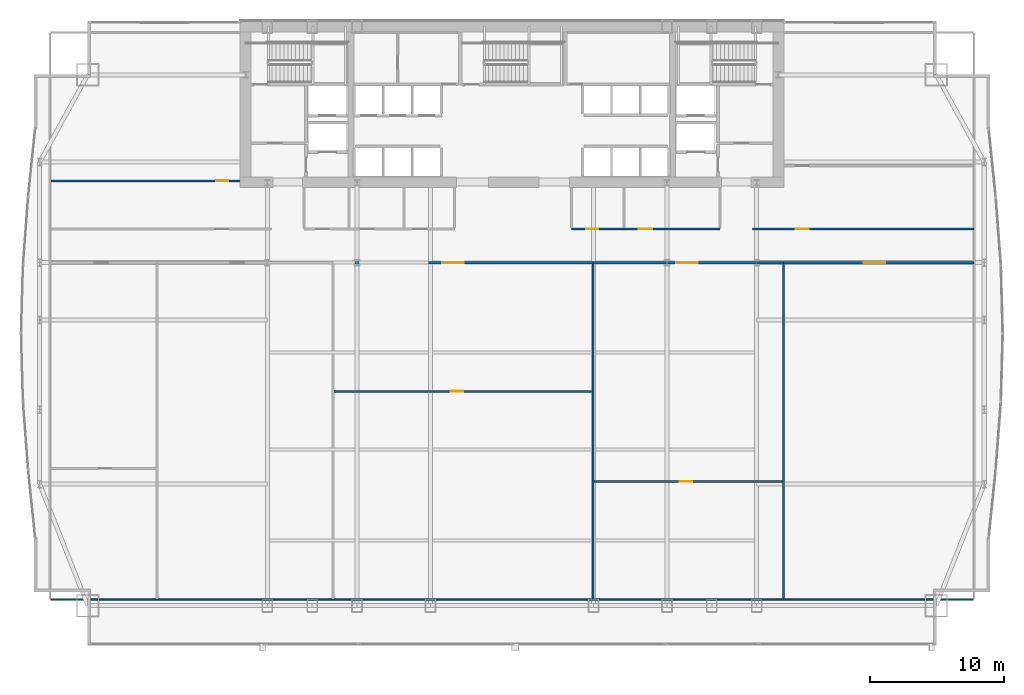
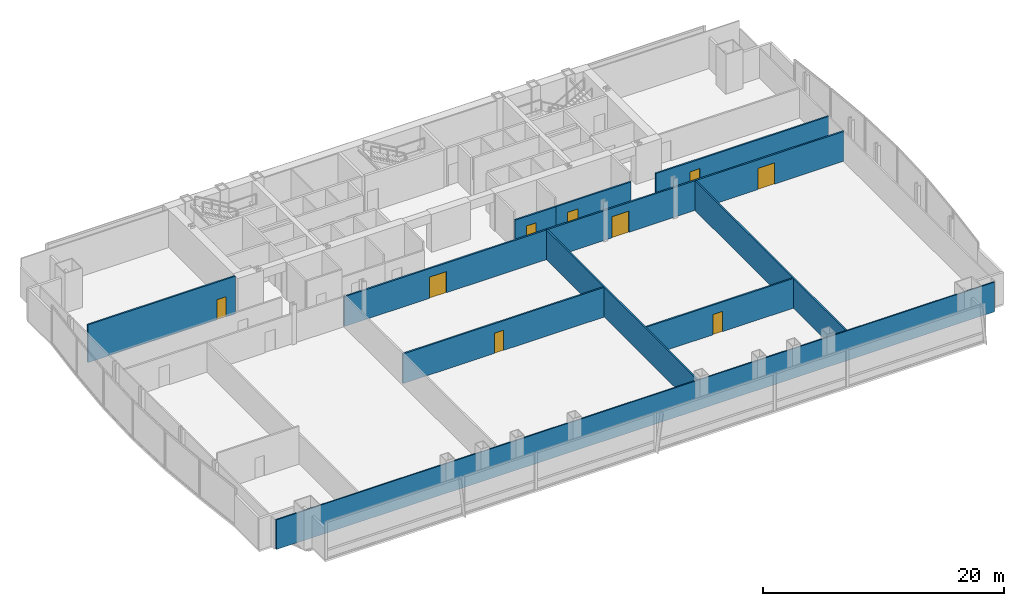
# One storey, part 27 of 32: 12 walls, 9 doors, 9 openings.
"""IFC4 building model written with IfcOpenShell, lengths in metres."""

from ifc_helpers import new_model, si_unit, direction, frame, frame_2d, origin, place, context, subcontext, project, spatial, rectangle, extrude, material, layer, layer_set, type_object, element, fill, save


model = new_model("IFC4")

# Units and contexts
model_context = context("Model", 3, precision=1e-05, world=origin(), true_north=direction((0.0, 1.0)))
body_context = subcontext(model_context, "Body", "Model", "MODEL_VIEW")
ifc_project = project(units=[si_unit("LENGTHUNIT", "METRE"), si_unit("AREAUNIT", "SQUARE_METRE"), si_unit("VOLUMEUNIT", "CUBIC_METRE"), si_unit("PLANEANGLEUNIT", "RADIAN"), si_unit("MASSUNIT", "GRAM", prefix="KILO")], contexts=[model_context])

# Site, building, storey
site_placement = place(None, origin())
site = spatial("IfcSite", under=ifc_project, at=site_placement, CompositionType="ELEMENT")
building_placement = place(site_placement, origin())
building = spatial("IfcBuilding", under=site, at=building_placement, Name="Khoronbel Lancet Exchange", CompositionType="ELEMENT")
storey_placement = place(building_placement, frame((0.0, 0.0, 29.800048828125)))
storey = spatial("IfcBuildingStorey", under=building, at=storey_placement, Name="L06", CompositionType="ELEMENT", Elevation=29.800048828125)

# Wall, opening, door
ifc_material_1 = material(Name="Acoustic Metal-Stud & Mineral-Wool Gypsum Partition 120 mm", Category="gypsum")
ifc_layer_1 = layer(ifc_material_1, 0.1201171875, Name="Acoustic Metal-Stud & Mineral-Wool Gypsum Partition 120 mm")
ifc_layer_set_1 = layer_set([ifc_layer_1], Name="Acoustic Metal-Stud & Mineral-Wool Gypsum Partition 120 mm")
wall_type_1 = type_object("IfcWallType", Name="WL-PRT120", PredefinedType="PARTITIONING", material=ifc_layer_set_1)
wall_1_placement = place(storey_placement, frame((2.094970703125, 41.800048828125, 0.0), z_axis=(0.0, 0.0, 1.0), x_axis=(1.0, 0.0, 0.0)))
wall_1 = element("IfcWall", 1, at=wall_1_placement, inside=storey, type_object=wall_type_1, Name="Level L06 interior partition PW-NW-H", PredefinedType="PARTITIONING", context=body_context, shape_type="SweptSolid", body=[
    extrude(rectangle(XDim=14.10498046875, YDim=0.14990234375, at=frame_2d((7.052490234375, 0.0))), origin(), (0.0, 0.0, 1.0), 3.820068359375),
])
opening_1_placement = place(wall_1_placement, frame((12.320068359375, 0.0, 0.0)))
opening_1 = element("IfcOpeningElement", 2, at=opening_1_placement, cuts=wall_1, Name="Opening D5", PredefinedType="OPENING", context=body_context, shape_type="SweptSolid", body=[
    extrude(rectangle(XDim=0.89990234375, YDim=2.050048828125, at=frame_2d((0.449951171875, 1.02490234375))), frame((0.0, 0.0849609375, 0.0), z_axis=(0.0, -1.0, 0.0), x_axis=(1.0, 0.0, 0.0)), (0.0, 0.0, 1.0), 0.169921875),
])
ifc_material_2 = material(Name="Acoustic Timber Pantry & Support Door", Category="wood")
door_type_1 = type_object("IfcDoorType", Name="DR-D5", OperationType="NOTDEFINED", PredefinedType="DOOR", material=ifc_material_2)
door_1_placement = place(opening_1_placement, origin())
door_1 = element("IfcDoor", 3, at=door_1_placement, inside=storey, type_object=door_type_1, Name="NW north room door L06-1", OperationType="SINGLE_SWING_LEFT", OverallHeight=2.050048828125, OverallWidth=0.89990234375, PredefinedType="DOOR", context=body_context, shape_type="SweptSolid", body=[
    extrude(rectangle(XDim=0.89990234375, YDim=2.050048828125, at=frame_2d((0.449951171875, 1.02490234375))), frame((0.0, 0.02490234375, 0.0), z_axis=(0.0, -1.0, 0.0), x_axis=(1.0, 0.0, 0.0)), (0.0, 0.0, 1.0), 0.050048828125),
])
fill(opening_1, door_1)

wall_2_placement = place(storey_placement, frame((23.182861328125, 26.119140625, 0.0), z_axis=(0.0, 0.0, 1.0), x_axis=(1.0, 0.0, 0.0)))
wall_2 = element("IfcWall", 4, at=wall_2_placement, inside=storey, type_object=wall_type_1, Name="Level L06 interior partition PW-Z1S-H3", PredefinedType="PARTITIONING", context=body_context, shape_type="SweptSolid", body=[
    extrude(rectangle(XDim=19.223876953125, YDim=0.14990234375, at=frame_2d((9.61181640625, 0.0))), origin(), (0.0, 0.0, 1.0), 3.010009765625),
])
opening_2_placement = place(wall_2_placement, frame((8.72265625, 0.0, 0.0)))
opening_2 = element("IfcOpeningElement", 5, at=opening_2_placement, cuts=wall_2, Name="Opening D5", PredefinedType="OPENING", context=body_context, shape_type="SweptSolid", body=[
    extrude(rectangle(XDim=0.89990234375, YDim=2.050048828125, at=frame_2d((0.449951171875, 1.02490234375))), frame((0.0, 0.0849609375, 0.0), z_axis=(0.0, -1.0, 0.0), x_axis=(1.0, 0.0, 0.0)), (0.0, 0.0, 1.0), 0.169921875),
])
door_2_placement = place(opening_2_placement, origin())
door_2 = element("IfcDoor", 6, at=door_2_placement, inside=storey, type_object=door_type_1, Name="Z1S inner door 3 L06-1", OperationType="SINGLE_SWING_RIGHT", OverallHeight=2.050048828125, OverallWidth=0.89990234375, PredefinedType="DOOR", context=body_context, shape_type="SweptSolid", body=[
    extrude(rectangle(XDim=0.89990234375, YDim=2.050048828125, at=frame_2d((0.449951171875, 1.02490234375))), frame((0.0, 0.02490234375, 0.0), z_axis=(0.0, -1.0, 0.0), x_axis=(1.0, 0.0, 0.0)), (0.0, 0.0, 1.0), 0.050048828125),
])
fill(opening_2, door_2)

wall_3_placement = place(storey_placement, frame((42.566650390625, 19.39453125, 0.0), z_axis=(0.0, 0.0, 1.0), x_axis=(1.0, 0.0, 0.0)))
wall_3 = element("IfcWall", 7, at=wall_3_placement, inside=storey, type_object=wall_type_1, Name="Level L06 interior partition PW-Z1S-H4", PredefinedType="PARTITIONING", context=body_context, shape_type="SweptSolid", body=[
    extrude(rectangle(XDim=14.045654296875, YDim=0.14990234375, at=frame_2d((7.02294921875, 0.0))), origin(), (0.0, 0.0, 1.0), 3.010009765625),
])
opening_3_placement = place(wall_3_placement, frame((6.392578125, 0.0, 0.0)))
opening_3 = element("IfcOpeningElement", 8, at=opening_3_placement, cuts=wall_3, Name="Opening D5", PredefinedType="OPENING", context=body_context, shape_type="SweptSolid", body=[
    extrude(rectangle(XDim=0.89990234375, YDim=2.050048828125, at=frame_2d((0.449951171875, 1.02490234375))), frame((0.0, 0.0849609375, 0.0), z_axis=(0.0, -1.0, 0.0), x_axis=(1.0, 0.0, 0.0)), (0.0, 0.0, 1.0), 0.169921875),
])
door_3_placement = place(opening_3_placement, origin())
door_3 = element("IfcDoor", 9, at=door_3_placement, inside=storey, type_object=door_type_1, Name="Z1S inner door 4 L06-1", OperationType="SINGLE_SWING_LEFT", OverallHeight=2.050048828125, OverallWidth=0.89990234375, PredefinedType="DOOR", context=body_context, shape_type="SweptSolid", body=[
    extrude(rectangle(XDim=0.89990234375, YDim=2.050048828125, at=frame_2d((0.449951171875, 1.02490234375))), frame((0.0, 0.02490234375, 0.0), z_axis=(0.0, -1.0, 0.0), x_axis=(1.0, 0.0, 0.0)), (0.0, 0.0, 1.0), 0.050048828125),
])
fill(opening_3, door_3)

# Wall
wall_4_placement = place(storey_placement, frame((2.094970703125, 10.60009765625, 0.0), z_axis=(0.0, 0.0, 1.0), x_axis=(1.0, 0.0, 0.0)))
element("IfcWall", 10, at=wall_4_placement, inside=storey, type_object=wall_type_1, Name="Level L06 interior partition PW-LIN-S", PredefinedType="PARTITIONING", context=body_context, shape_type="SweptSolid", body=[
    extrude(rectangle(XDim=68.7099609375, YDim=0.1201171875, at=frame_2d((34.35498046875, 0.0))), origin(), (0.0, 0.0, 1.0), 3.010009765625),
])

# Wall, opening, door
ifc_material_3 = material(Name="Fire-Rated Twin-Stud Acoustic Gypsum Partition 150 mm", Category="gypsum")
ifc_layer_2 = layer(ifc_material_3, 0.14990234375, Name="Fire-Rated Twin-Stud Acoustic Gypsum Partition 150 mm")
ifc_layer_set_2 = layer_set([ifc_layer_2], Name="Fire-Rated Twin-Stud Acoustic Gypsum Partition 150 mm")
wall_type_2 = type_object("IfcWallType", Name="WL-PRT150C", PredefinedType="PARTITIONING", material=ifc_layer_set_2)
wall_5_placement = place(storey_placement, frame((40.8798828125, 38.199951171875, 0.0), z_axis=(0.0, 0.0, 1.0), x_axis=(1.0, 0.0, 0.0)))
wall_5 = element("IfcWall", 11, at=wall_5_placement, inside=storey, type_object=wall_type_2, Name="Level L06 interior partition PW-NP-S1", PredefinedType="PARTITIONING", context=body_context, shape_type="SweptSolid", body=[
    extrude(rectangle(XDim=3.920166015625, YDim=0.14990234375, at=frame_2d((1.9599609375, 0.0))), origin(), (0.0, 0.0, 1.0), 3.010009765625),
])
opening_4_placement = place(wall_5_placement, frame((1.10009765625, 0.0, 0.0)))
opening_4 = element("IfcOpeningElement", 12, at=opening_4_placement, cuts=wall_5, Name="Opening D5", PredefinedType="OPENING", context=body_context, shape_type="SweptSolid", body=[
    extrude(rectangle(XDim=0.89990234375, YDim=2.050048828125, at=frame_2d((0.449951171875, 1.02490234375))), frame((0.0, 0.0849609375, 0.0), z_axis=(0.0, -1.0, 0.0), x_axis=(1.0, 0.0, 0.0)), (0.0, 0.0, 1.0), 0.169921875),
])
door_4_placement = place(opening_4_placement, origin())
door_4 = element("IfcDoor", 13, at=door_4_placement, inside=storey, type_object=door_type_1, Name="Floor refreshment pantry door L06-1", OperationType="SINGLE_SWING_LEFT", OverallHeight=2.050048828125, OverallWidth=0.89990234375, PredefinedType="DOOR", context=body_context, shape_type="SweptSolid", body=[
    extrude(rectangle(XDim=0.89990234375, YDim=2.050048828125, at=frame_2d((0.449951171875, 1.02490234375))), frame((0.0, 0.02490234375, 0.0), z_axis=(0.0, -1.0, 0.0), x_axis=(1.0, 0.0, 0.0)), (0.0, 0.0, 1.0), 0.050048828125),
])
fill(opening_4, door_4)

wall_6_placement = place(storey_placement, frame((44.800048828125, 38.199951171875, 0.0), z_axis=(0.0, 0.0, 1.0), x_axis=(1.0, 0.0, 0.0)))
wall_6 = element("IfcWall", 14, at=wall_6_placement, inside=storey, type_object=wall_type_2, Name="Level L06 interior partition PW-NP-S2", PredefinedType="PARTITIONING", context=body_context, shape_type="SweptSolid", body=[
    extrude(rectangle(XDim=7.14990234375, YDim=0.14990234375, at=frame_2d((3.574951171875, 0.0))), origin(), (0.0, 0.0, 1.0), 3.010009765625),
])
opening_5_placement = place(wall_6_placement, frame((1.10009765625, 0.0, 0.0)))
opening_5 = element("IfcOpeningElement", 15, at=opening_5_placement, cuts=wall_6, Name="Opening D2", PredefinedType="OPENING", context=body_context, shape_type="SweptSolid", body=[
    extrude(rectangle(XDim=1.0, YDim=2.050048828125, at=frame_2d((0.5, 1.02490234375))), frame((0.0, 0.0849609375, 0.0), z_axis=(0.0, -1.0, 0.0), x_axis=(1.0, 0.0, 0.0)), (0.0, 0.0, 1.0), 0.169921875),
])
ifc_material_4 = material(Name="Acoustic Veneered Timber & Bronze Frame Door", Category="wood")
door_type_2 = type_object("IfcDoorType", Name="DR-D2", OperationType="NOTDEFINED", PredefinedType="DOOR", material=ifc_material_4)
door_5_placement = place(opening_5_placement, origin())
door_5 = element("IfcDoor", 16, at=door_5_placement, inside=storey, type_object=door_type_2, Name="Floor store door L06-1", OperationType="SINGLE_SWING_RIGHT", OverallHeight=2.050048828125, OverallWidth=1.0, PredefinedType="DOOR", context=body_context, shape_type="SweptSolid", body=[
    extrude(rectangle(XDim=1.0, YDim=2.050048828125, at=frame_2d((0.5, 1.02490234375))), frame((0.0, 0.02490234375, 0.0), z_axis=(0.0, -1.0, 0.0), x_axis=(1.0, 0.0, 0.0)), (0.0, 0.0, 1.0), 0.050048828125),
])
fill(opening_5, door_5)

wall_7_placement = place(storey_placement, frame((54.35009765625, 38.199951171875, 0.0), z_axis=(0.0, 0.0, 1.0), x_axis=(1.0, 0.0, 0.0)))
wall_7 = element("IfcWall", 17, at=wall_7_placement, inside=storey, type_object=wall_type_2, Name="Level L06 interior partition PW-NE-S", PredefinedType="PARTITIONING", context=body_context, shape_type="SweptSolid", body=[
    extrude(rectangle(XDim=16.52001953125, YDim=0.14990234375, at=frame_2d((8.260009765625, 0.0))), origin(), (0.0, 0.0, 1.0), 3.010009765625),
])
opening_6_placement = place(wall_7_placement, frame((3.25, 0.0, 0.0)))
opening_6 = element("IfcOpeningElement", 18, at=opening_6_placement, cuts=wall_7, Name="Opening D1", PredefinedType="OPENING", context=body_context, shape_type="SweptSolid", body=[
    extrude(rectangle(XDim=0.949951171875, YDim=2.050048828125, at=frame_2d((0.47509765625, 1.02490234375))), frame((0.0, 0.0849609375, 0.0), z_axis=(0.0, -1.0, 0.0), x_axis=(1.0, 0.0, 0.0)), (0.0, 0.0, 1.0), 0.169921875),
])
door_type_3 = type_object("IfcDoorType", Name="DR-D1", OperationType="NOTDEFINED", PredefinedType="DOOR", material=ifc_material_4)
door_6_placement = place(opening_6_placement, origin())
door_6 = element("IfcDoor", 19, at=door_6_placement, inside=storey, type_object=door_type_3, Name="NE corner room door L06-1", OperationType="SINGLE_SWING_RIGHT", OverallHeight=2.050048828125, OverallWidth=0.949951171875, PredefinedType="DOOR", context=body_context, shape_type="SweptSolid", body=[
    extrude(rectangle(XDim=0.949951171875, YDim=2.050048828125, at=frame_2d((0.47509765625, 1.02490234375))), frame((0.0, 0.02490234375, 0.0), z_axis=(0.0, -1.0, 0.0), x_axis=(1.0, 0.0, 0.0)), (0.0, 0.0, 1.0), 0.050048828125),
])
fill(opening_6, door_6)

# Walls
for number, where, z_axis, x_axis, name in (
    (20, (42.48681640625, 10.6650390625, 0.0), (0.0, 0.0, 1.0), (0.0, 1.0, 0.0), "Level L06 interior partition PW-Z1S-V3"),
    (21, (56.692138671875, 10.6650390625, 0.0), (0.0, 0.0, 1.0), (0.0, 1.0, 0.0), "Level L06 interior partition PW-Z1S-V4"),
):
    element("IfcWall", number, at=place(storey_placement, frame(where, z_axis=z_axis, x_axis=x_axis)), inside=storey, type_object=wall_type_2, Name=name, PredefinedType="PARTITIONING", context=body_context, shape_type="SweptSolid", body=[
        extrude(rectangle(XDim=24.949951171875, YDim=0.14990234375, at=frame_2d((12.47509765625, 0.0))), origin(), (0.0, 0.0, 1.0), 3.010009765625),
    ])

# Wall, opening, door
ifc_material_5 = material(Name="Fire-Rated Twin-Stud Acoustic Gypsum Partition 160 mm", Category="gypsum")
ifc_layer_3 = layer(ifc_material_5, 0.159912109375, Name="Fire-Rated Twin-Stud Acoustic Gypsum Partition 160 mm")
ifc_layer_set_3 = layer_set([ifc_layer_3], Name="Fire-Rated Twin-Stud Acoustic Gypsum Partition 160 mm")
wall_type_3 = type_object("IfcWallType", Name="WL-PRT160C", PredefinedType="PARTITIONING", material=ifc_layer_set_3)
wall_8_placement = place(storey_placement, frame((23.102783203125, 35.699951171875, 0.0), z_axis=(0.0, 0.0, 1.0), x_axis=(1.0, 0.0, 0.0)))
wall_8 = element("IfcWall", 22, at=wall_8_placement, inside=storey, type_object=wall_type_3, Name="Level L06 interior partition PW-Z1S-COR3", PredefinedType="PARTITIONING", context=body_context, shape_type="SweptSolid", body=[
    extrude(rectangle(XDim=19.384033203125, YDim=0.159912109375, at=frame_2d((9.69189453125, 0.0))), origin(), (0.0, 0.0, 1.0), 3.010009765625),
])
opening_7_placement = place(wall_8_placement, frame((8.14111328125, 0.0, 0.0)))
opening_7 = element("IfcOpeningElement", 23, at=opening_7_placement, cuts=wall_8, Name="Opening D3", PredefinedType="OPENING", context=body_context, shape_type="SweptSolid", body=[
    extrude(rectangle(XDim=1.60009765625, YDim=2.14990234375, at=frame_2d((0.800048828125, 1.074951171875))), frame((0.0, 0.08984375, 0.0), z_axis=(0.0, -1.0, 0.0), x_axis=(1.0, 0.0, 0.0)), (0.0, 0.0, 1.0), 0.179931640625),
])
ifc_material_6 = material(Name="Glazed Bronze-Framed Double Suite Door", Category="aluminium")
door_type_4 = type_object("IfcDoorType", Name="DR-D3", OperationType="NOTDEFINED", PredefinedType="DOOR", material=ifc_material_6)
door_7_placement = place(opening_7_placement, origin())
door_7 = element("IfcDoor", 24, at=door_7_placement, inside=storey, type_object=door_type_4, Name="Z1S bay 3 door L06-1", OperationType="DOUBLE_DOOR_SINGLE_SWING", OverallHeight=2.14990234375, OverallWidth=1.60009765625, PredefinedType="DOOR", context=body_context, shape_type="SweptSolid", body=[
    extrude(rectangle(XDim=1.60009765625, YDim=2.14990234375, at=frame_2d((0.800048828125, 1.074951171875))), frame((0.0, 0.02490234375, 0.0), z_axis=(0.0, -1.0, 0.0), x_axis=(1.0, 0.0, 0.0)), (0.0, 0.0, 1.0), 0.050048828125),
])
fill(opening_7, door_7)

wall_9_placement = place(storey_placement, frame((42.48681640625, 35.699951171875, 0.0), z_axis=(0.0, 0.0, 1.0), x_axis=(1.0, 0.0, 0.0)))
wall_9 = element("IfcWall", 25, at=wall_9_placement, inside=storey, type_object=wall_type_3, Name="Level L06 interior partition PW-Z1S-COR4", PredefinedType="PARTITIONING", context=body_context, shape_type="SweptSolid", body=[
    extrude(rectangle(XDim=14.205322265625, YDim=0.159912109375, at=frame_2d((7.1025390625, 0.0))), origin(), (0.0, 0.0, 1.0), 3.010009765625),
])
opening_8_placement = place(wall_9_placement, frame((6.21630859375, 0.0, 0.0)))
opening_8 = element("IfcOpeningElement", 26, at=opening_8_placement, cuts=wall_9, Name="Opening D3", PredefinedType="OPENING", context=body_context, shape_type="SweptSolid", body=[
    extrude(rectangle(XDim=1.60009765625, YDim=2.14990234375, at=frame_2d((0.800048828125, 1.074951171875))), frame((0.0, 0.08984375, 0.0), z_axis=(0.0, -1.0, 0.0), x_axis=(1.0, 0.0, 0.0)), (0.0, 0.0, 1.0), 0.179931640625),
])
door_8_placement = place(opening_8_placement, origin())
door_8 = element("IfcDoor", 27, at=door_8_placement, inside=storey, type_object=door_type_4, Name="Z1S bay 4 door L06-1", OperationType="DOUBLE_DOOR_SINGLE_SWING", OverallHeight=2.14990234375, OverallWidth=1.60009765625, PredefinedType="DOOR", context=body_context, shape_type="SweptSolid", body=[
    extrude(rectangle(XDim=1.60009765625, YDim=2.14990234375, at=frame_2d((0.800048828125, 1.074951171875))), frame((0.0, 0.02490234375, 0.0), z_axis=(0.0, -1.0, 0.0), x_axis=(1.0, 0.0, 0.0)), (0.0, 0.0, 1.0), 0.050048828125),
])
fill(opening_8, door_8)

wall_10_placement = place(storey_placement, frame((56.692138671875, 35.699951171875, 0.0), z_axis=(0.0, 0.0, 1.0), x_axis=(1.0, 0.0, 0.0)))
wall_10 = element("IfcWall", 28, at=wall_10_placement, inside=storey, type_object=wall_type_3, Name="Level L06 interior partition PW-Z1S-COR5", PredefinedType="PARTITIONING", context=body_context, shape_type="SweptSolid", body=[
    extrude(rectangle(XDim=14.177978515625, YDim=0.159912109375, at=frame_2d((7.0888671875, 0.0))), origin(), (0.0, 0.0, 1.0), 3.010009765625),
])
opening_9_placement = place(wall_10_placement, frame((5.95458984375, 0.0, 0.0)))
opening_9 = element("IfcOpeningElement", 29, at=opening_9_placement, cuts=wall_10, Name="Opening D3", PredefinedType="OPENING", context=body_context, shape_type="SweptSolid", body=[
    extrude(rectangle(XDim=1.60009765625, YDim=2.14990234375, at=frame_2d((0.800048828125, 1.074951171875))), frame((0.0, 0.08984375, 0.0), z_axis=(0.0, -1.0, 0.0), x_axis=(1.0, 0.0, 0.0)), (0.0, 0.0, 1.0), 0.179931640625),
])
door_9_placement = place(opening_9_placement, origin())
door_9 = element("IfcDoor", 30, at=door_9_placement, inside=storey, type_object=door_type_4, Name="Z1S bay 5 door L06-1", OperationType="DOUBLE_DOOR_SINGLE_SWING", OverallHeight=2.14990234375, OverallWidth=1.60009765625, PredefinedType="DOOR", context=body_context, shape_type="SweptSolid", body=[
    extrude(rectangle(XDim=1.60009765625, YDim=2.14990234375, at=frame_2d((0.800048828125, 1.074951171875))), frame((0.0, 0.02490234375, 0.0), z_axis=(0.0, -1.0, 0.0), x_axis=(1.0, 0.0, 0.0)), (0.0, 0.0, 1.0), 0.050048828125),
])
fill(opening_9, door_9)

save(model, "model.ifc")
